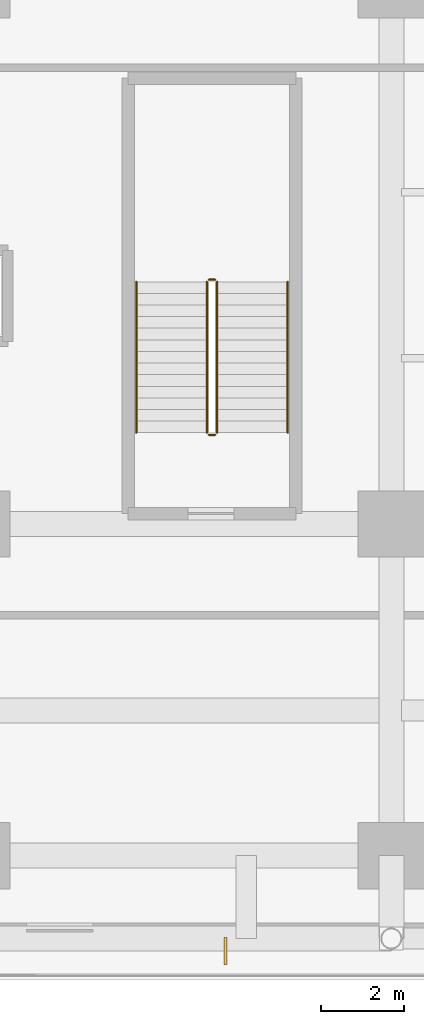
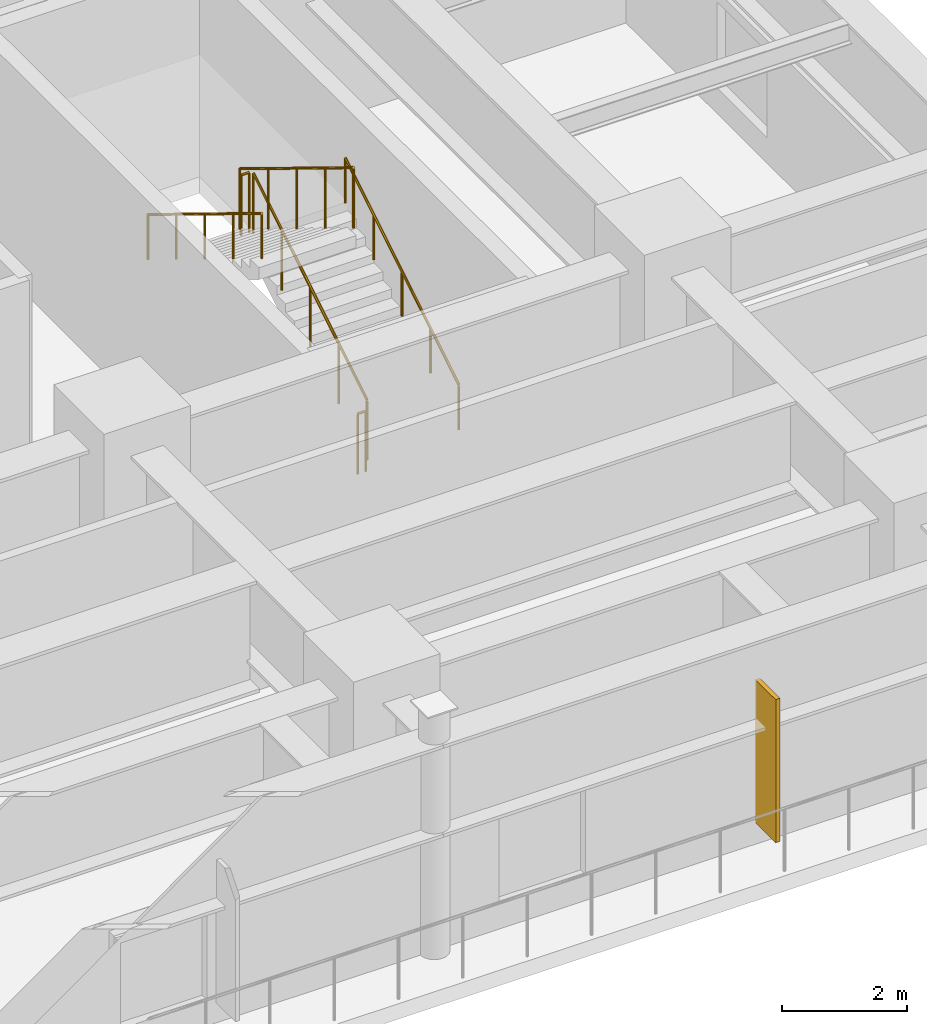
# One storey, part 35 of 35: 6 railings, 1 shading device.
"""IFC4 building model written with IfcOpenShell, lengths in metres."""

import ifcopenshell
import ifcopenshell.guid

model = None  # the IFC model being written
_history = None  # IfcOwnerHistory: only IFC2X3 demands one
_inside = {}  # id of a spatial element -> (the spatial element, [elements in it])
_under = {}  # id of a project, library or spatial element -> (it, [spatial elements below it])
_declared = {}  # id of a project -> (the project, [libraries it declares])
_typed = {}  # id of a type object -> (the type object, [elements of that type])
_made_of = {}  # id of a material, layer set ... -> (it, [elements and type objects made of it])


def new_model(schema):
    """Start an empty IFC model of exactly this schema.

    Asked for "IFC4X3", IfcOpenShell would pick the latest addendum, in which some entities
    have other attributes; the version numbers below select the first issue.
    IFC2X3 requires an IfcOwnerHistory on every rooted entity: one is made here for all.
    """
    global model, _history
    if schema == "IFC4X3":
        model = ifcopenshell.file(schema_version=(4, 3, 0, 0))
    else:
        model = ifcopenshell.file(schema=schema)
    _inside.clear()
    _under.clear()
    _declared.clear()
    _typed.clear()
    _made_of.clear()
    _history = None
    if model.schema == "IFC2X3":
        org = make("IfcOrganization", Name="unknown")
        user = make(
            "IfcPersonAndOrganization",
            ThePerson=make("IfcPerson", FamilyName="unknown"),
            TheOrganization=org,
        )
        app = make(
            "IfcApplication",
            ApplicationDeveloper=org,
            Version="unknown",
            ApplicationFullName="unknown",
            ApplicationIdentifier="unknown",
        )
        _history = make(
            "IfcOwnerHistory",
            OwningUser=user,
            OwningApplication=app,
            ChangeAction="ADDED",
            CreationDate=0,
        )
    return model


def make(cls, **values):
    """One entity of the class cls with the attributes given. An attribute that is None is left unset."""
    return model.create_entity(
        cls, **{name: value for name, value in values.items() if value is not None}
    )


def rooted(cls, **values):
    """An entity with a GlobalId (a new one), such as an element, a storey or a relation."""
    return make(cls, GlobalId=ifcopenshell.guid.new(), OwnerHistory=_history, **values)


def si_unit(unit_type, name, prefix=None):
    """IfcSIUnit, for example si_unit("LENGTHUNIT", "METRE", prefix="MILLI")."""
    return make("IfcSIUnit", UnitType=unit_type, Prefix=prefix, Name=name)


def assignment(units):
    """IfcUnitAssignment: the units of a project."""
    return None if units is None else make("IfcUnitAssignment", Units=units)


def point(xyz):
    """IfcCartesianPoint."""
    return None if xyz is None else make("IfcCartesianPoint", Coordinates=xyz)


def direction(xyz):
    """IfcDirection."""
    return None if xyz is None else make("IfcDirection", DirectionRatios=xyz)


def frame(location, z_axis=None, x_axis=None):
    """IfcAxis2Placement3D, a coordinate frame: its origin and axes. An axis left out is left unset."""
    return make(
        "IfcAxis2Placement3D",
        Location=point(location),
        Axis=direction(z_axis),
        RefDirection=direction(x_axis),
    )


def frame_2d(location, x_axis=None):
    """IfcAxis2Placement2D, a coordinate frame in the plane: its origin and x axis."""
    return make(
        "IfcAxis2Placement2D", Location=point(location), RefDirection=direction(x_axis)
    )


def origin():
    """The frame at (0, 0, 0) with its axes left unset."""
    return frame((0.0, 0.0, 0.0))


def origin_2d():
    """The frame at (0, 0) in the plane with its x axis left unset."""
    return frame_2d((0.0, 0.0))


def place(relative_to, where):
    """IfcLocalPlacement: puts the frame where relative to a parent placement (None: the world)."""
    return make(
        "IfcLocalPlacement", PlacementRelTo=relative_to, RelativePlacement=where
    )


def context(
    kind, dimensions, precision=None, world=None, true_north=None, identifier=None
):
    """IfcGeometricRepresentationContext, for example the 3D "Model" context."""
    return make(
        "IfcGeometricRepresentationContext",
        ContextIdentifier=identifier,
        ContextType=kind,
        CoordinateSpaceDimension=dimensions,
        Precision=precision,
        WorldCoordinateSystem=world,
        TrueNorth=true_north,
    )


def subcontext(parent, identifier, kind, view, scale=None):
    """IfcGeometricRepresentationSubContext, for example "Body" below "Model"."""
    return make(
        "IfcGeometricRepresentationSubContext",
        ContextIdentifier=identifier,
        ContextType=kind,
        ParentContext=parent,
        TargetScale=scale,
        TargetView=view,
    )


def project(units=None, contexts=None):
    """IfcProject with its units and contexts."""
    return rooted(
        "IfcProject",
        Name="project",
        RepresentationContexts=contexts,
        UnitsInContext=assignment(units),
    )


def spatial(cls, under=None, at=None, **own):
    """A site, building, storey or space (cls), placed at a placement, below another one or the project."""
    s = rooted(cls, ObjectPlacement=at, **own)
    if under is not None:
        _under.setdefault(under.id(), (under, []))[1].append(s)
    return s


def profile(cls, at=None, kind="AREA", **sizes):
    """A parametric profile (cls). Its sizes go by their IFC names, for example OverallWidth=200.0."""
    return make(cls, ProfileType=kind, Position=at, **sizes)


def rectangle(**sizes):
    """IfcRectangleProfileDef."""
    return profile("IfcRectangleProfileDef", **sizes)


def circle(**sizes):
    """IfcCircleProfileDef."""
    return profile("IfcCircleProfileDef", **sizes)


def extrude(swept, where, along, depth):
    """IfcExtrudedAreaSolid: the profile swept, set in the frame where, extruded along a direction by depth."""
    return make(
        "IfcExtrudedAreaSolid",
        SweptArea=swept,
        Position=where,
        ExtrudedDirection=direction(along),
        Depth=depth,
    )


def shape(context_of_items, identifier, shape_type, items):
    """IfcShapeRepresentation: the items that make up one representation, for example the "Body"."""
    return make(
        "IfcShapeRepresentation",
        ContextOfItems=context_of_items,
        RepresentationIdentifier=identifier,
        RepresentationType=shape_type,
        Items=items,
    )


def source(mapping_origin, context_of_items, identifier, shape_type, items):
    """IfcRepresentationMap: a shape defined once, which mapped items show again and again."""
    return make(
        "IfcRepresentationMap",
        MappingOrigin=mapping_origin,
        MappedRepresentation=shape(context_of_items, identifier, shape_type, items),
    )


def transform(
    local_origin,
    x_axis=None,
    y_axis=None,
    z_axis=None,
    scale=None,
    scale2=None,
    scale3=None,
    uniform=True,
):
    """IfcCartesianTransformationOperator3D, or its non-uniform kind. x_axis, y_axis, z_axis: its Axis1, 2, 3."""
    if uniform:
        return make(
            "IfcCartesianTransformationOperator3D",
            Axis1=direction(x_axis),
            Axis2=direction(y_axis),
            LocalOrigin=point(local_origin),
            Scale=scale,
            Axis3=direction(z_axis),
        )
    return make(
        "IfcCartesianTransformationOperator3DnonUniform",
        Axis1=direction(x_axis),
        Axis2=direction(y_axis),
        LocalOrigin=point(local_origin),
        Scale=scale,
        Axis3=direction(z_axis),
        Scale2=scale2,
        Scale3=scale3,
    )


def mapped(mapping_source, mapping_target):
    """IfcMappedItem: shows the shape of a source again, moved by a transform."""
    return make(
        "IfcMappedItem", MappingSource=mapping_source, MappingTarget=mapping_target
    )


def material(Name=None, Category=None):
    """IfcMaterial."""
    return make("IfcMaterial", Name=Name, Category=Category)


def layer(
    of_material, thickness, ventilated=None, Name=None, Category=None, Priority=None
):
    """IfcMaterialLayer: one layer of a wall or slab, of a material (None: an air gap)."""
    return make(
        "IfcMaterialLayer",
        Material=of_material,
        LayerThickness=thickness,
        IsVentilated=ventilated,
        Name=Name,
        Category=Category,
        Priority=Priority,
    )


def layer_set(layers, Name=None):
    """IfcMaterialLayerSet."""
    return make("IfcMaterialLayerSet", MaterialLayers=layers, LayerSetName=Name)


def made_of(thing, what):
    """Note that an element or type object is made of a material, layer set ...; save() writes the relation."""
    if what is not None:
        _made_of.setdefault(what.id(), (what, []))[1].append(thing)
    return thing


def type_object(cls, material=None, **own):
    """A type object (cls), such as IfcWallType, which elements share."""
    return made_of(rooted(cls, **own), material)


def element(
    cls,
    number,
    at=None,
    inside=None,
    cuts=None,
    type_object=None,
    material=None,
    context=None,
    identifier="Body",
    shape_type=None,
    held_by="IfcProductDefinitionShape",
    body=None,
    shapes=None,
    **own,
):
    """One element of the class cls, such as IfcWall. Its Tag is "e" and its number.

    at: its placement. inside: the storey or other place that contains it. cuts: it is an
    opening in that element (IfcRelVoidsElement). A single representation is given by context,
    identifier, shape_type and body (its items); several are given by shapes. held_by: the class
    of the entity that holds the representations. save() writes the other relations.
    """
    e = rooted(cls, Tag="e%d" % number, ObjectPlacement=at, **own)
    if body is not None:
        shapes = [shape(context, identifier, shape_type, body)]
    if shapes is not None:
        e.Representation = make(held_by, Representations=shapes)
    if inside is not None:
        _inside.setdefault(inside.id(), (inside, []))[1].append(e)
    if cuts is not None:
        rooted(
            "IfcRelVoidsElement", RelatingBuildingElement=cuts, RelatedOpeningElement=e
        )
    if type_object is not None:
        _typed.setdefault(type_object.id(), (type_object, []))[1].append(e)
    return made_of(e, material)


def aggregate(whole, parts):
    """IfcRelAggregates: a whole, such as a stair, and the parts it consists of."""
    return rooted("IfcRelAggregates", RelatingObject=whole, RelatedObjects=parts)


def save(model, path):
    """Write the relations noted so far, then the file.

    IfcRelAggregates (storeys below a building ...), IfcRelContainedInSpatialStructure (elements
    in a storey), IfcRelDefinesByType, IfcRelAssociatesMaterial and IfcRelDeclares: one each for
    every whole, place, type object, material and project.
    """
    for whole, parts in _under.values():
        aggregate(whole, parts)
    for where, things in _inside.values():
        rooted(
            "IfcRelContainedInSpatialStructure",
            RelatedElements=things,
            RelatingStructure=where,
        )
    for kind, things in _typed.values():
        rooted("IfcRelDefinesByType", RelatedObjects=things, RelatingType=kind)
    for what, things in _made_of.values():
        rooted("IfcRelAssociatesMaterial", RelatedObjects=things, RelatingMaterial=what)
    for by, libraries in _declared.values():
        rooted("IfcRelDeclares", RelatingContext=by, RelatedDefinitions=libraries)
    model.write(path)


model = new_model("IFC4")

# Units and contexts
model_context = context("Model", 3, precision=1e-05, world=origin(), true_north=direction((0.0, 1.0)))
body_context = subcontext(model_context, "Body", "Model", "MODEL_VIEW")
ifc_project = project(units=[si_unit("LENGTHUNIT", "METRE"), si_unit("AREAUNIT", "SQUARE_METRE"), si_unit("VOLUMEUNIT", "CUBIC_METRE"), si_unit("PLANEANGLEUNIT", "RADIAN"), si_unit("MASSUNIT", "GRAM", prefix="KILO")], contexts=[model_context])

# Site, building, storey
site_placement = place(None, origin())
site = spatial("IfcSite", under=ifc_project, at=site_placement, CompositionType="ELEMENT")
building_placement = place(site_placement, origin())
building = spatial("IfcBuilding", under=site, at=building_placement, Name="Khorayat Bourse Tower", CompositionType="ELEMENT")
storey_placement = place(building_placement, frame((0.0, 0.0, 22.199951171875)))
storey = spatial("IfcBuildingStorey", under=building, at=storey_placement, Name="L04", CompositionType="ELEMENT", Elevation=22.199951171875)

# Shading device
ifc_material_1 = material(Name="Anodised champagne aluminium", Category="aluminium")
ifc_layer = layer(ifc_material_1, 0.080078125)
ifc_layer_set = layer_set([ifc_layer], Name="Anodised champagne aluminium")
shading_device_type = type_object("IfcShadingDeviceType", Name="SHD-MASHRABIYA-FIN", PredefinedType="USERDEFINED", material=ifc_layer_set)
shared_shape_1 = source(origin(), body_context, "Body", "SweptSolid", [
    extrude(rectangle(XDim=0.080078125, YDim=0.64990234375, at=origin_2d()), origin(), (0.0, 0.0, 1.0), 2.800048828125),
])
shading_device_placement = place(storey_placement, frame((28.0, -34.300048828125, 0.39990234375), z_axis=(0.0, 0.0, 1.0), x_axis=(1.0, 0.0, 0.0)))
element("IfcShadingDevice", 1, at=shading_device_placement, inside=storey, type_object=shading_device_type, Name="L04 Mashrabiya Vertical Shading Fin 4", ObjectType="FIN", PredefinedType="USERDEFINED", context=body_context, shape_type="MappedRepresentation", body=[
    mapped(shared_shape_1, transform((0.0, 0.0, 0.0), scale=1.0)),
])

# Railings
ifc_material_2 = material(Name="Powder-coated steel balustrade", Category="steel")
railing_type_1 = type_object("IfcRailingType", Name="RLG-GUARD-1200", PredefinedType="GUARDRAIL", material=ifc_material_2)
shared_shape_2 = source(origin(), body_context, "Body", "SweptSolid", [
    extrude(circle(Radius=0.02392578125, at=origin_2d()), frame((0.0, 0.0, 1.17578125), z_axis=(-1.0, 0.0, 0.0), x_axis=(0.0, -1.0, 0.0)), (0.0, 0.0, 1.0), 0.14990234375),
    extrude(circle(Radius=0.02099609375, at=origin_2d()), origin(), (0.0, 0.0, 1.0), 1.15185546875),
    extrude(circle(Radius=0.02099609375, at=origin_2d()), frame((-0.14990234375, 0.0, 0.0)), (0.0, 0.0, 1.0), 1.15185546875),
])
for number, where, name in (
    (2, (27.75, -18.110107421875, 2.400146484375), "L04 ST-P2 stair guard 2"),
    (3, (27.75, -21.85009765625, 0.0), "L04 ST-P2 stair guard 4"),
):
    element("IfcRailing", number, at=place(storey_placement, frame(where)), inside=storey, type_object=railing_type_1, Name=name, PredefinedType="GUARDRAIL", context=body_context, shape_type="MappedRepresentation", body=[
        mapped(shared_shape_2, transform((0.0, 0.0, 0.0), scale=1.0)),
    ])
shared_shape_3 = source(origin(), body_context, "Body", "SweptSolid", [
    extrude(circle(Radius=0.02392578125, at=origin_2d()), frame((0.0, 0.0, 1.17578125), z_axis=(0.0, -0.852865859571, 0.52213008492), x_axis=(1.0, 0.0, 0.0)), (0.0, 0.0, 1.0), 4.26806640625),
    extrude(circle(Radius=0.02099609375, at=origin_2d()), origin(), (0.0, 0.0, 1.0), 1.15185546875),
    extrude(circle(Radius=0.02099609375, at=origin_2d()), frame((0.0, -0.91015625, 0.55712890625)), (0.0, 0.0, 1.0), 1.15185546875),
    extrude(circle(Radius=0.02099609375, at=origin_2d()), frame((0.0, -1.820068359375, 1.1142578125)), (0.0, 0.0, 1.0), 1.15185546875),
    extrude(circle(Radius=0.02099609375, at=origin_2d()), frame((0.0, -2.72998046875, 1.67138671875)), (0.0, 0.0, 1.0), 1.15185546875),
    extrude(circle(Radius=0.02099609375, at=origin_2d()), frame((0.0, -3.64013671875, 2.228515625)), (0.0, 0.0, 1.0), 1.15185546875),
])
railing_1_placement = place(storey_placement, frame((27.550048828125, -18.159912109375, 2.571533203125)))
element("IfcRailing", 4, at=railing_1_placement, inside=storey, type_object=railing_type_1, Name="L04 ST-P2 stair guard 3", PredefinedType="GUARDRAIL", context=body_context, shape_type="MappedRepresentation", body=[
    mapped(shared_shape_3, transform((0.0, 0.0, 0.0), scale=1.0)),
])
ifc_material_3 = material(Name="Brushed bronze stainless-steel handrail", Category="steel")
railing_type_2 = type_object("IfcRailingType", Name="RLG-HAND-900", PredefinedType="HANDRAIL", material=ifc_material_3)
shared_shape_4 = source(origin(), body_context, "Body", "SweptSolid", [
    extrude(circle(Radius=0.02392578125, at=origin_2d()), frame((0.0, 0.0, 0.8759765625), z_axis=(0.0, -0.852865859571, 0.52213008492), x_axis=(1.0, 0.0, 0.0)), (0.0, 0.0, 1.0), 4.26806640625),
    extrude(circle(Radius=0.02099609375, at=origin_2d()), origin(), (0.0, 0.0, 1.0), 0.851806640625),
    extrude(circle(Radius=0.02099609375, at=origin_2d()), frame((0.0, -0.91015625, 0.55712890625)), (0.0, 0.0, 1.0), 0.851806640625),
    extrude(circle(Radius=0.02099609375, at=origin_2d()), frame((0.0, -1.820068359375, 1.1142578125)), (0.0, 0.0, 1.0), 0.851806640625),
    extrude(circle(Radius=0.02099609375, at=origin_2d()), frame((0.0, -2.72998046875, 1.67138671875)), (0.0, 0.0, 1.0), 0.851806640625),
    extrude(circle(Radius=0.02099609375, at=origin_2d()), frame((0.0, -3.64013671875, 2.228515625)), (0.0, 0.0, 1.0), 0.851806640625),
])
railing_2_placement = place(storey_placement, frame((25.85009765625, -18.159912109375, 2.571533203125)))
element("IfcRailing", 5, at=railing_2_placement, inside=storey, type_object=railing_type_2, Name="L04 ST-P2 stair handrail 2", PredefinedType="HANDRAIL", context=body_context, shape_type="MappedRepresentation", body=[
    mapped(shared_shape_4, transform((0.0, 0.0, 0.0), scale=1.0)),
])
shared_shape_5 = source(origin(), body_context, "Body", "SweptSolid", [
    extrude(circle(Radius=0.02392578125, at=origin_2d()), frame((0.0, 0.0, 1.17578125), z_axis=(0.0, 0.852840387347, 0.522171689878), x_axis=(-1.0, 0.0, 0.0)), (0.0, 0.0, 1.0), 4.268310546875),
    extrude(circle(Radius=0.02099609375, at=origin_2d()), origin(), (0.0, 0.0, 1.0), 1.15185546875),
    extrude(circle(Radius=0.02099609375, at=origin_2d()), frame((0.0, 0.91015625, 0.55712890625)), (0.0, 0.0, 1.0), 1.15185546875),
    extrude(circle(Radius=0.02099609375, at=origin_2d()), frame((0.0, 1.820068359375, 1.1142578125)), (0.0, 0.0, 1.0), 1.15185546875),
    extrude(circle(Radius=0.02099609375, at=origin_2d()), frame((0.0, 2.72998046875, 1.671630859375)), (0.0, 0.0, 1.0), 1.15185546875),
    extrude(circle(Radius=0.02099609375, at=origin_2d()), frame((0.0, 3.64013671875, 2.228759765625)), (0.0, 0.0, 1.0), 1.15185546875),
])
railing_3_placement = place(storey_placement, frame((27.800048828125, -21.800048828125, 0.17138671875)))
element("IfcRailing", 6, at=railing_3_placement, inside=storey, type_object=railing_type_1, Name="L04 ST-P2 stair guard 1", PredefinedType="GUARDRAIL", context=body_context, shape_type="MappedRepresentation", body=[
    mapped(shared_shape_5, transform((0.0, 0.0, 0.0), scale=1.0)),
])
shared_shape_6 = source(origin(), body_context, "Body", "SweptSolid", [
    extrude(circle(Radius=0.02392578125, at=origin_2d()), frame((0.0, 0.0, 0.8759765625), z_axis=(0.0, 0.852840387347, 0.522171689878), x_axis=(-1.0, 0.0, 0.0)), (0.0, 0.0, 1.0), 4.268310546875),
    extrude(circle(Radius=0.02099609375, at=origin_2d()), origin(), (0.0, 0.0, 1.0), 0.851806640625),
    extrude(circle(Radius=0.02099609375, at=origin_2d()), frame((0.0, 0.91015625, 0.55712890625)), (0.0, 0.0, 1.0), 0.851806640625),
    extrude(circle(Radius=0.02099609375, at=origin_2d()), frame((0.0, 1.820068359375, 1.1142578125)), (0.0, 0.0, 1.0), 0.851806640625),
    extrude(circle(Radius=0.02099609375, at=origin_2d()), frame((0.0, 2.72998046875, 1.671630859375)), (0.0, 0.0, 1.0), 0.851806640625),
    extrude(circle(Radius=0.02099609375, at=origin_2d()), frame((0.0, 3.64013671875, 2.228759765625)), (0.0, 0.0, 1.0), 0.851806640625),
])
railing_4_placement = place(storey_placement, frame((29.5, -21.800048828125, 0.17138671875)))
element("IfcRailing", 7, at=railing_4_placement, inside=storey, type_object=railing_type_2, Name="L04 ST-P2 stair handrail 1", PredefinedType="HANDRAIL", context=body_context, shape_type="MappedRepresentation", body=[
    mapped(shared_shape_6, transform((0.0, 0.0, 0.0), scale=1.0)),
])

save(model, "model.ifc")
